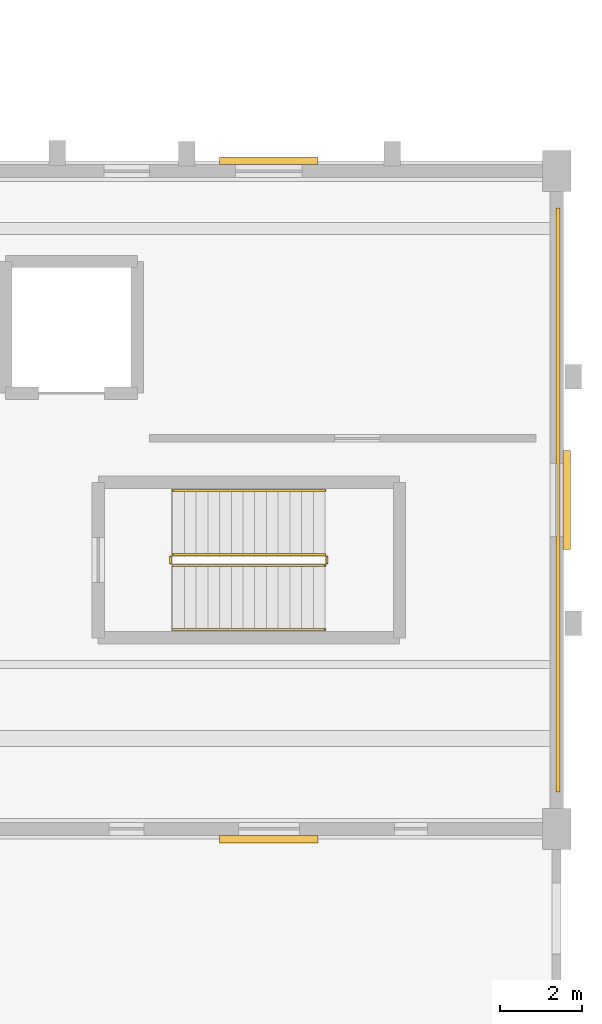
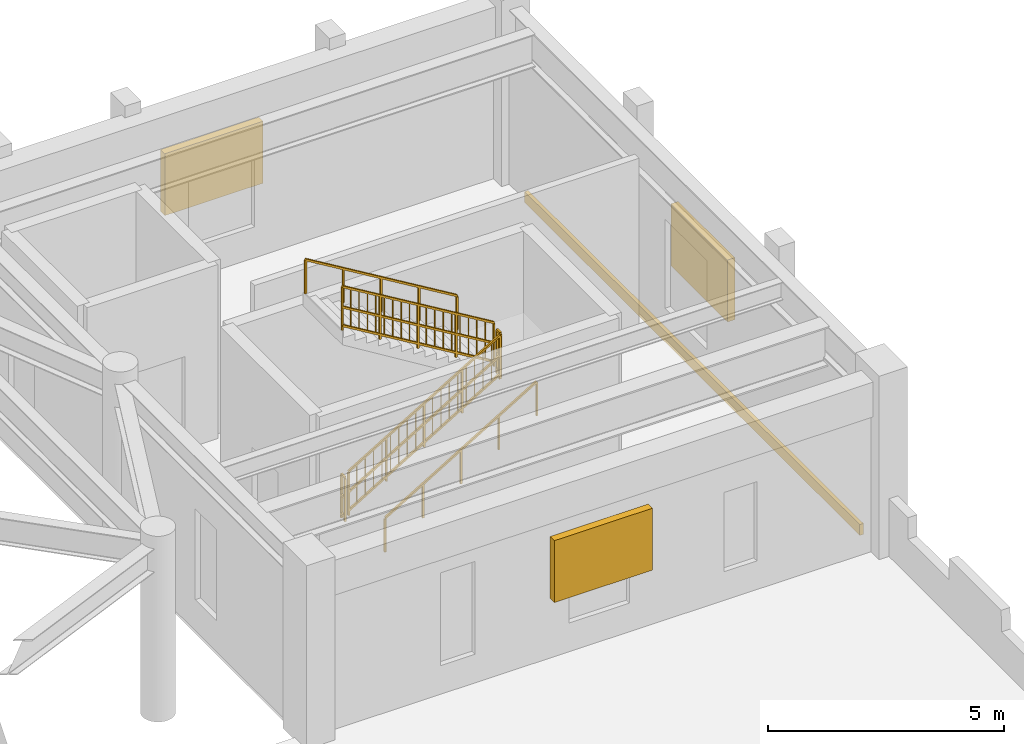
# One storey, part 59 of 59: 6 railings, 3 shading devices, 1 covering.
"""IFC4 building model written with IfcOpenShell, lengths in metres."""

from ifc_helpers import new_model, si_unit, direction, frame, origin, origin_2d, place, context, subcontext, project, spatial, rectangle, extrude, material, layer, layer_set, type_object, element, save


model = new_model("IFC4")

# Units and contexts
model_context = context("Model", 3, precision=1e-05, world=origin(), true_north=direction((0.0, 1.0)))
body_context = subcontext(model_context, "Body", "Model", "MODEL_VIEW")
ifc_project = project(units=[si_unit("LENGTHUNIT", "METRE"), si_unit("AREAUNIT", "SQUARE_METRE"), si_unit("VOLUMEUNIT", "CUBIC_METRE"), si_unit("PLANEANGLEUNIT", "RADIAN"), si_unit("MASSUNIT", "GRAM", prefix="KILO")], contexts=[model_context])

# Site, building, storey
site_placement = place(None, origin())
site = spatial("IfcSite", under=ifc_project, at=site_placement, CompositionType="ELEMENT")
building_placement = place(site_placement, origin())
building = spatial("IfcBuilding", under=site, at=building_placement, Name="Serraluz Foothill Cableway Terminal", CompositionType="ELEMENT")
storey_placement = place(building_placement, frame((0.0, 0.0, 4.800048828125)))
storey = spatial("IfcBuildingStorey", under=building, at=storey_placement, Name="L01", CompositionType="ELEMENT", Elevation=4.800048828125)

# Covering
ifc_material_1 = material(Name="Fired clay masonry brick (f'm 12 MPa)", Category="masonry")
ifc_layer_1 = layer(ifc_material_1, 0.090087890625, Name="Fired clay masonry brick (f'm 12 MPa)", Category="masonry")
ifc_layer_set_1 = layer_set([ifc_layer_1], Name="Fired clay masonry brick (f'm 12 MPa)")
covering_type = type_object("IfcCoveringType", Name="TYP-COV-CLAD-90", PredefinedType="CLADDING", material=ifc_layer_set_1)
covering_placement = place(storey_placement, frame((174.030029296875, 64.0, -0.2802734375), z_axis=(0.0, 0.0, 1.0), x_axis=(0.0, 1.0, 0.0)))
element("IfcCovering", 1, at=covering_placement, inside=storey, type_object=covering_type, Name="Terracotta Spandrel Relief Band COV-CLAD-V2E-1", PredefinedType="CLADDING", context=body_context, shape_type="SweptSolid", body=[
    extrude(rectangle(XDim=14.199951171875, YDim=0.090087890625, at=origin_2d()), origin(), (0.0, 0.0, 1.0), 0.280029296875),
])

# Railings
ifc_material_2 = material(Name="Steel ASTM A572 Grade 50", Category="steel")
ifc_layer_2 = layer(ifc_material_2, 0.054931640625, Name="Steel ASTM A572 Grade 50", Category="steel")
ifc_layer_set_2 = layer_set([ifc_layer_2], Name="Steel ASTM A572 Grade 50")
railing_type_1 = type_object("IfcRailingType", Name="TYP-RL-GRD-1150", PredefinedType="GUARDRAIL", material=ifc_layer_set_2)
railing_1_placement = place(storey_placement, frame((164.659912109375, 62.409912109375, 0.17138671875)))
element("IfcRailing", 2, at=railing_1_placement, inside=storey, type_object=railing_type_1, Name="L01 ST-05 stair guard 1", PredefinedType="GUARDRAIL", context=body_context, shape_type="SweptSolid", body=[
    extrude(rectangle(XDim=0.048095703125, YDim=0.048095703125, at=origin_2d()), frame((0.0, 0.0, 1.1259765625), z_axis=(0.856934400257, 0.0, 0.515425487977), x_axis=(0.0, 1.0, 0.0)), (0.0, 0.0, 1.0), 4.32373046875),
    extrude(rectangle(XDim=0.048095703125, YDim=0.048095703125, at=origin_2d()), frame((0.0, 0.0, 0.597900390625), z_axis=(0.856934400257, 0.0, 0.515425487977), x_axis=(0.0, 1.0, 0.0)), (0.0, 0.0, 1.0), 4.32373046875),
    extrude(rectangle(XDim=0.048095703125, YDim=0.048095703125, at=origin_2d()), frame((0.0, 0.0, 0.1201171875), z_axis=(0.856934400257, 0.0, 0.515425487977), x_axis=(0.0, 1.0, 0.0)), (0.0, 0.0, 1.0), 4.32373046875),
    extrude(rectangle(XDim=0.02001953125, YDim=0.02001953125, at=origin_2d()), frame((0.205810546875, 0.0, 0.243896484375)), (0.0, 0.0, 1.0), 0.981689453125),
    extrude(rectangle(XDim=0.02001953125, YDim=0.02001953125, at=origin_2d()), frame((0.41162109375, 0.0, 0.36767578125)), (0.0, 0.0, 1.0), 0.981689453125),
    extrude(rectangle(XDim=0.02001953125, YDim=0.02001953125, at=origin_2d()), frame((0.617431640625, 0.0, 0.491455078125)), (0.0, 0.0, 1.0), 0.981689453125),
    extrude(rectangle(XDim=0.02001953125, YDim=0.02001953125, at=origin_2d()), frame((0.8232421875, 0.0, 0.615234375)), (0.0, 0.0, 1.0), 0.981689453125),
    extrude(rectangle(XDim=0.02001953125, YDim=0.02001953125, at=origin_2d()), frame((1.029296875, 0.0, 0.739013671875)), (0.0, 0.0, 1.0), 0.981689453125),
    extrude(rectangle(XDim=0.02001953125, YDim=0.02001953125, at=origin_2d()), frame((1.235107421875, 0.0, 0.86279296875)), (0.0, 0.0, 1.0), 0.981689453125),
    extrude(rectangle(XDim=0.02001953125, YDim=0.02001953125, at=origin_2d()), frame((1.44091796875, 0.0, 0.986572265625)), (0.0, 0.0, 1.0), 0.981689453125),
    extrude(rectangle(XDim=0.02001953125, YDim=0.02001953125, at=origin_2d()), frame((1.646728515625, 0.0, 1.1103515625)), (0.0, 0.0, 1.0), 0.981689453125),
    extrude(rectangle(XDim=0.02001953125, YDim=0.02001953125, at=origin_2d()), frame((2.058349609375, 0.0, 1.358154296875)), (0.0, 0.0, 1.0), 0.981689453125),
    extrude(rectangle(XDim=0.02001953125, YDim=0.02001953125, at=origin_2d()), frame((2.26416015625, 0.0, 1.48193359375)), (0.0, 0.0, 1.0), 0.981689453125),
    extrude(rectangle(XDim=0.02001953125, YDim=0.02001953125, at=origin_2d()), frame((2.469970703125, 0.0, 1.605712890625)), (0.0, 0.0, 1.0), 0.981689453125),
    extrude(rectangle(XDim=0.02001953125, YDim=0.02001953125, at=origin_2d()), frame((2.67578125, 0.0, 1.7294921875)), (0.0, 0.0, 1.0), 0.981689453125),
    extrude(rectangle(XDim=0.02001953125, YDim=0.02001953125, at=origin_2d()), frame((2.8818359375, 0.0, 1.853271484375)), (0.0, 0.0, 1.0), 0.981689453125),
    extrude(rectangle(XDim=0.02001953125, YDim=0.02001953125, at=origin_2d()), frame((3.087646484375, 0.0, 1.97705078125)), (0.0, 0.0, 1.0), 0.981689453125),
    extrude(rectangle(XDim=0.02001953125, YDim=0.02001953125, at=origin_2d()), frame((3.29345703125, 0.0, 2.100830078125)), (0.0, 0.0, 1.0), 0.981689453125),
    extrude(rectangle(XDim=0.02001953125, YDim=0.02001953125, at=origin_2d()), frame((3.499267578125, 0.0, 2.224609375)), (0.0, 0.0, 1.0), 0.981689453125),
    extrude(rectangle(XDim=0.0439453125, YDim=0.0439453125, at=origin_2d()), origin(), (0.0, 0.0, 1.0), 1.101806640625),
    extrude(rectangle(XDim=0.0439453125, YDim=0.0439453125, at=origin_2d()), frame((0.92626953125, 0.0, 0.55712890625)), (0.0, 0.0, 1.0), 1.101806640625),
    extrude(rectangle(XDim=0.0439453125, YDim=0.0439453125, at=origin_2d()), frame((1.8525390625, 0.0, 1.1142578125)), (0.0, 0.0, 1.0), 1.101806640625),
    extrude(rectangle(XDim=0.0439453125, YDim=0.0439453125, at=origin_2d()), frame((2.77880859375, 0.0, 1.67138671875)), (0.0, 0.0, 1.0), 1.101806640625),
    extrude(rectangle(XDim=0.0439453125, YDim=0.0439453125, at=origin_2d()), frame((3.705078125, 0.0, 2.228515625)), (0.0, 0.0, 1.0), 1.101806640625),
])
railing_2_placement = place(storey_placement, frame((168.4150390625, 62.4599609375, 2.39990234375)))
element("IfcRailing", 3, at=railing_2_placement, inside=storey, type_object=railing_type_1, Name="L01 ST-05 stair guard 2", PredefinedType="GUARDRAIL", context=body_context, shape_type="SweptSolid", body=[
    extrude(rectangle(XDim=0.048095703125, YDim=0.048095703125, at=origin_2d()), frame((0.0, 0.0, 1.1259765625), z_axis=(0.0, 1.0, 0.0), x_axis=(-1.0, 0.0, 0.0)), (0.0, 0.0, 1.0), 0.16015625),
    extrude(rectangle(XDim=0.048095703125, YDim=0.048095703125, at=origin_2d()), frame((0.0, 0.0, 0.597900390625), z_axis=(0.0, 1.0, 0.0), x_axis=(-1.0, 0.0, 0.0)), (0.0, 0.0, 1.0), 0.16015625),
    extrude(rectangle(XDim=0.048095703125, YDim=0.048095703125, at=origin_2d()), frame((0.0, 0.0, 0.1201171875), z_axis=(0.0, 1.0, 0.0), x_axis=(-1.0, 0.0, 0.0)), (0.0, 0.0, 1.0), 0.16015625),
    extrude(rectangle(XDim=0.0439453125, YDim=0.0439453125, at=origin_2d()), origin(), (0.0, 0.0, 1.0), 1.101806640625),
    extrude(rectangle(XDim=0.0439453125, YDim=0.0439453125, at=origin_2d()), frame((0.0, 0.16015625, 0.0)), (0.0, 0.0, 1.0), 1.101806640625),
])
railing_3_placement = place(storey_placement, frame((168.364990234375, 62.669921875, 2.5712890625)))
element("IfcRailing", 4, at=railing_3_placement, inside=storey, type_object=railing_type_1, Name="L01 ST-05 stair guard 3", PredefinedType="GUARDRAIL", context=body_context, shape_type="SweptSolid", body=[
    extrude(rectangle(XDim=0.048095703125, YDim=0.048095703125, at=origin_2d()), frame((0.0, 0.0, 1.1259765625), z_axis=(-0.856909459561, 0.0, 0.515466951525), x_axis=(0.0, -1.0, 0.0)), (0.0, 0.0, 1.0), 4.32373046875),
    extrude(rectangle(XDim=0.048095703125, YDim=0.048095703125, at=origin_2d()), frame((0.0, 0.0, 0.597900390625), z_axis=(-0.856909459561, 0.0, 0.515466951525), x_axis=(0.0, -1.0, 0.0)), (0.0, 0.0, 1.0), 4.32373046875),
    extrude(rectangle(XDim=0.048095703125, YDim=0.048095703125, at=origin_2d()), frame((0.0, 0.0, 0.1201171875), z_axis=(-0.856909459561, 0.0, 0.515466951525), x_axis=(0.0, -1.0, 0.0)), (0.0, 0.0, 1.0), 4.32373046875),
    extrude(rectangle(XDim=0.02001953125, YDim=0.02001953125, at=origin_2d()), frame((-0.205810546875, 0.0, 0.243896484375)), (0.0, 0.0, 1.0), 0.981689453125),
    extrude(rectangle(XDim=0.02001953125, YDim=0.02001953125, at=origin_2d()), frame((-0.41162109375, 0.0, 0.36767578125)), (0.0, 0.0, 1.0), 0.981689453125),
    extrude(rectangle(XDim=0.02001953125, YDim=0.02001953125, at=origin_2d()), frame((-0.617431640625, 0.0, 0.491455078125)), (0.0, 0.0, 1.0), 0.981689453125),
    extrude(rectangle(XDim=0.02001953125, YDim=0.02001953125, at=origin_2d()), frame((-0.8232421875, 0.0, 0.615234375)), (0.0, 0.0, 1.0), 0.981689453125),
    extrude(rectangle(XDim=0.02001953125, YDim=0.02001953125, at=origin_2d()), frame((-1.029296875, 0.0, 0.739013671875)), (0.0, 0.0, 1.0), 0.981689453125),
    extrude(rectangle(XDim=0.02001953125, YDim=0.02001953125, at=origin_2d()), frame((-1.235107421875, 0.0, 0.863037109375)), (0.0, 0.0, 1.0), 0.981689453125),
    extrude(rectangle(XDim=0.02001953125, YDim=0.02001953125, at=origin_2d()), frame((-1.44091796875, 0.0, 0.98681640625)), (0.0, 0.0, 1.0), 0.981689453125),
    extrude(rectangle(XDim=0.02001953125, YDim=0.02001953125, at=origin_2d()), frame((-1.646728515625, 0.0, 1.110595703125)), (0.0, 0.0, 1.0), 0.981689453125),
    extrude(rectangle(XDim=0.02001953125, YDim=0.02001953125, at=origin_2d()), frame((-2.058349609375, 0.0, 1.358154296875)), (0.0, 0.0, 1.0), 0.981689453125),
    extrude(rectangle(XDim=0.02001953125, YDim=0.02001953125, at=origin_2d()), frame((-2.26416015625, 0.0, 1.48193359375)), (0.0, 0.0, 1.0), 0.981689453125),
    extrude(rectangle(XDim=0.02001953125, YDim=0.02001953125, at=origin_2d()), frame((-2.469970703125, 0.0, 1.60595703125)), (0.0, 0.0, 1.0), 0.981689453125),
    extrude(rectangle(XDim=0.02001953125, YDim=0.02001953125, at=origin_2d()), frame((-2.67578125, 0.0, 1.729736328125)), (0.0, 0.0, 1.0), 0.981689453125),
    extrude(rectangle(XDim=0.02001953125, YDim=0.02001953125, at=origin_2d()), frame((-2.8818359375, 0.0, 1.853515625)), (0.0, 0.0, 1.0), 0.981689453125),
    extrude(rectangle(XDim=0.02001953125, YDim=0.02001953125, at=origin_2d()), frame((-3.087646484375, 0.0, 1.977294921875)), (0.0, 0.0, 1.0), 0.981689453125),
    extrude(rectangle(XDim=0.02001953125, YDim=0.02001953125, at=origin_2d()), frame((-3.29345703125, 0.0, 2.10107421875)), (0.0, 0.0, 1.0), 0.981689453125),
    extrude(rectangle(XDim=0.02001953125, YDim=0.02001953125, at=origin_2d()), frame((-3.499267578125, 0.0, 2.224853515625)), (0.0, 0.0, 1.0), 0.981689453125),
    extrude(rectangle(XDim=0.0439453125, YDim=0.0439453125, at=origin_2d()), origin(), (0.0, 0.0, 1.0), 1.101806640625),
    extrude(rectangle(XDim=0.0439453125, YDim=0.0439453125, at=origin_2d()), frame((-0.92626953125, 0.0, 0.55712890625)), (0.0, 0.0, 1.0), 1.101806640625),
    extrude(rectangle(XDim=0.0439453125, YDim=0.0439453125, at=origin_2d()), frame((-1.8525390625, 0.0, 1.1142578125)), (0.0, 0.0, 1.0), 1.101806640625),
    extrude(rectangle(XDim=0.0439453125, YDim=0.0439453125, at=origin_2d()), frame((-2.77880859375, 0.0, 1.671630859375)), (0.0, 0.0, 1.0), 1.101806640625),
    extrude(rectangle(XDim=0.0439453125, YDim=0.0439453125, at=origin_2d()), frame((-3.705078125, 0.0, 2.228759765625)), (0.0, 0.0, 1.0), 1.101806640625),
])
railing_4_placement = place(storey_placement, frame((164.610107421875, 62.4599609375, 0.0)))
element("IfcRailing", 5, at=railing_4_placement, inside=storey, type_object=railing_type_1, Name="L01 ST-05 stair guard 4", PredefinedType="GUARDRAIL", context=body_context, shape_type="SweptSolid", body=[
    extrude(rectangle(XDim=0.048095703125, YDim=0.048095703125, at=origin_2d()), frame((0.0, 0.0, 1.1259765625), z_axis=(0.0, 1.0, 0.0), x_axis=(-1.0, 0.0, 0.0)), (0.0, 0.0, 1.0), 0.16015625),
    extrude(rectangle(XDim=0.048095703125, YDim=0.048095703125, at=origin_2d()), frame((0.0, 0.0, 0.597900390625), z_axis=(0.0, 1.0, 0.0), x_axis=(-1.0, 0.0, 0.0)), (0.0, 0.0, 1.0), 0.16015625),
    extrude(rectangle(XDim=0.048095703125, YDim=0.048095703125, at=origin_2d()), frame((0.0, 0.0, 0.1201171875), z_axis=(0.0, 1.0, 0.0), x_axis=(-1.0, 0.0, 0.0)), (0.0, 0.0, 1.0), 0.16015625),
    extrude(rectangle(XDim=0.0439453125, YDim=0.0439453125, at=origin_2d()), origin(), (0.0, 0.0, 1.0), 1.101806640625),
    extrude(rectangle(XDim=0.0439453125, YDim=0.0439453125, at=origin_2d()), frame((0.0, 0.16015625, 0.0)), (0.0, 0.0, 1.0), 1.101806640625),
])
ifc_material_3 = material(Name="Architectural bronze alloy C28000", Category="aluminium")
ifc_layer_3 = layer(ifc_material_3, 0.048095703125, Name="Architectural bronze alloy C28000", Category="aluminium")
ifc_layer_set_3 = layer_set([ifc_layer_3], Name="Architectural bronze alloy C28000")
railing_type_2 = type_object("IfcRailingType", Name="TYP-RL-HND-920", PredefinedType="HANDRAIL", material=ifc_layer_set_3)
railing_5_placement = place(storey_placement, frame((164.659912109375, 60.85009765625, 0.17138671875)))
element("IfcRailing", 6, at=railing_5_placement, inside=storey, type_object=railing_type_2, Name="L01 ST-05 stair handrail 1", PredefinedType="HANDRAIL", context=body_context, shape_type="SweptSolid", body=[
    extrude(rectangle(XDim=0.048095703125, YDim=0.048095703125, at=origin_2d()), frame((0.0, 0.0, 0.8759765625), z_axis=(0.856934400257, 0.0, 0.515425487977), x_axis=(0.0, 1.0, 0.0)), (0.0, 0.0, 1.0), 4.32373046875),
    extrude(rectangle(XDim=0.0439453125, YDim=0.0439453125, at=origin_2d()), origin(), (0.0, 0.0, 1.0), 0.851806640625),
    extrude(rectangle(XDim=0.0439453125, YDim=0.0439453125, at=origin_2d()), frame((0.92626953125, 0.0, 0.55712890625)), (0.0, 0.0, 1.0), 0.851806640625),
    extrude(rectangle(XDim=0.0439453125, YDim=0.0439453125, at=origin_2d()), frame((1.8525390625, 0.0, 1.1142578125)), (0.0, 0.0, 1.0), 0.851806640625),
    extrude(rectangle(XDim=0.0439453125, YDim=0.0439453125, at=origin_2d()), frame((2.77880859375, 0.0, 1.67138671875)), (0.0, 0.0, 1.0), 0.851806640625),
    extrude(rectangle(XDim=0.0439453125, YDim=0.0439453125, at=origin_2d()), frame((3.705078125, 0.0, 2.228515625)), (0.0, 0.0, 1.0), 0.851806640625),
])
railing_6_placement = place(storey_placement, frame((168.364990234375, 64.22998046875, 2.5712890625)))
element("IfcRailing", 7, at=railing_6_placement, inside=storey, type_object=railing_type_2, Name="L01 ST-05 stair handrail 2", PredefinedType="HANDRAIL", context=body_context, shape_type="SweptSolid", body=[
    extrude(rectangle(XDim=0.048095703125, YDim=0.048095703125, at=origin_2d()), frame((0.0, 0.0, 0.8759765625), z_axis=(-0.856909459561, 0.0, 0.515466951525), x_axis=(0.0, -1.0, 0.0)), (0.0, 0.0, 1.0), 4.32373046875),
    extrude(rectangle(XDim=0.0439453125, YDim=0.0439453125, at=origin_2d()), origin(), (0.0, 0.0, 1.0), 0.851806640625),
    extrude(rectangle(XDim=0.0439453125, YDim=0.0439453125, at=origin_2d()), frame((-0.92626953125, 0.0, 0.55712890625)), (0.0, 0.0, 1.0), 0.851806640625),
    extrude(rectangle(XDim=0.0439453125, YDim=0.0439453125, at=origin_2d()), frame((-1.8525390625, 0.0, 1.1142578125)), (0.0, 0.0, 1.0), 0.851806640625),
    extrude(rectangle(XDim=0.0439453125, YDim=0.0439453125, at=origin_2d()), frame((-2.77880859375, 0.0, 1.671630859375)), (0.0, 0.0, 1.0), 0.851806640625),
    extrude(rectangle(XDim=0.0439453125, YDim=0.0439453125, at=origin_2d()), frame((-3.705078125, 0.0, 2.228759765625)), (0.0, 0.0, 1.0), 0.851806640625),
])

# Shading devices
ifc_material_4 = material(Name="Extruded aluminium 6063-T6", Category="aluminium")
shading_device_type = type_object("IfcShadingDeviceType", Name="TYP-SHD-LVR-2400", PredefinedType="SHUTTER", material=ifc_material_4)
for number, where, z_axis, x_axis, name in (
    (8, (174.248046875, 64.0, 1.599853515625), (0.0, 0.0, 1.0), (0.0, 1.0, 0.0), "Acoustic Intake Louvre SHD-LVR-04"),
    (9, (167.0, 55.751953125, 1.599853515625), (0.0, 0.0, 1.0), (1.0, 0.0, 0.0), "Acoustic Intake Louvre SHD-LVR-05"),
    (10, (167.0, 72.248046875, 1.599853515625), (0.0, 0.0, 1.0), (1.0, 0.0, 0.0), "Acoustic Intake Louvre SHD-LVR-06"),
):
    element("IfcShadingDevice", number, at=place(storey_placement, frame(where, z_axis=z_axis, x_axis=x_axis)), inside=storey, type_object=shading_device_type, Name=name, PredefinedType="SHUTTER", context=body_context, shape_type="SweptSolid", body=[
        extrude(rectangle(XDim=2.39990234375, YDim=0.179931640625, at=origin_2d()), origin(), (0.0, 0.0, 1.0), 1.60009765625),
    ])

save(model, "model.ifc")
